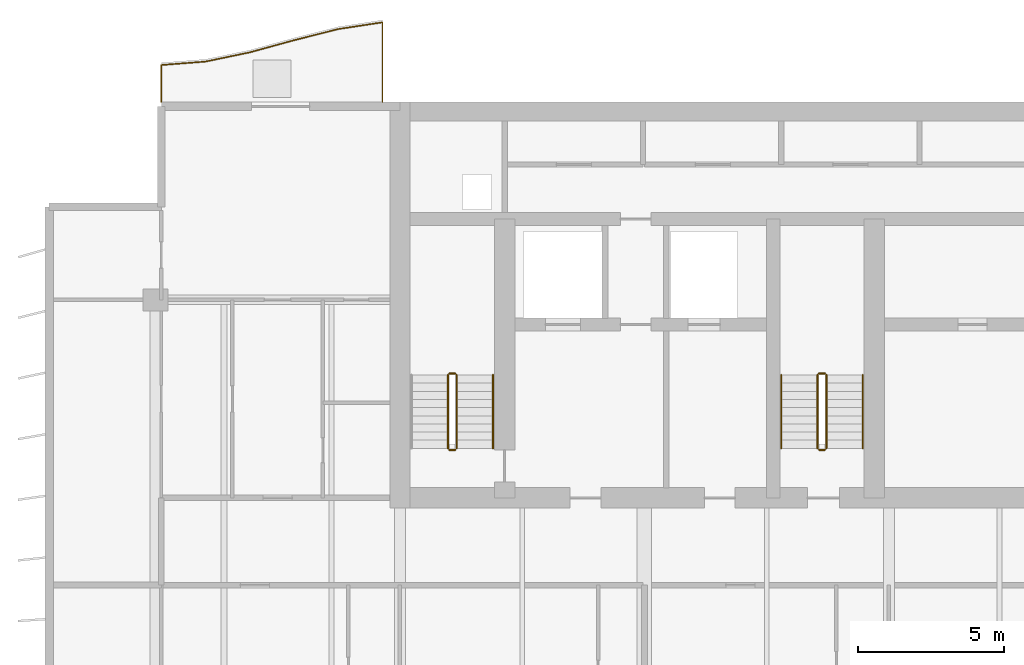
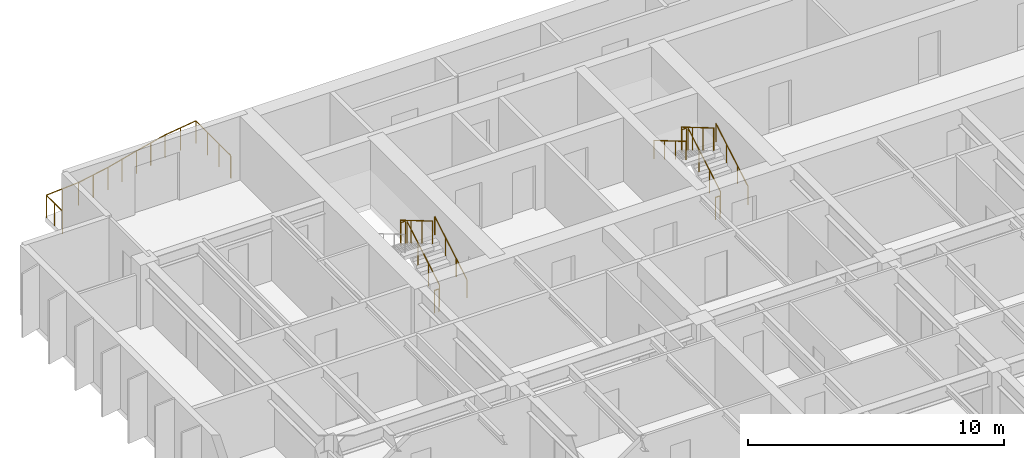
# One storey, part 15 of 17: 12 railings.
"""IFC4 building model written with IfcOpenShell, lengths in metres."""

import ifcopenshell
import ifcopenshell.guid

model = None  # the IFC model being written
_history = None  # IfcOwnerHistory: only IFC2X3 demands one
_inside = {}  # id of a spatial element -> (the spatial element, [elements in it])
_under = {}  # id of a project, library or spatial element -> (it, [spatial elements below it])
_declared = {}  # id of a project -> (the project, [libraries it declares])
_typed = {}  # id of a type object -> (the type object, [elements of that type])
_made_of = {}  # id of a material, layer set ... -> (it, [elements and type objects made of it])


def new_model(schema):
    """Start an empty IFC model of exactly this schema.

    Asked for "IFC4X3", IfcOpenShell would pick the latest addendum, in which some entities
    have other attributes; the version numbers below select the first issue.
    IFC2X3 requires an IfcOwnerHistory on every rooted entity: one is made here for all.
    """
    global model, _history
    if schema == "IFC4X3":
        model = ifcopenshell.file(schema_version=(4, 3, 0, 0))
    else:
        model = ifcopenshell.file(schema=schema)
    _inside.clear()
    _under.clear()
    _declared.clear()
    _typed.clear()
    _made_of.clear()
    _history = None
    if model.schema == "IFC2X3":
        org = make("IfcOrganization", Name="unknown")
        user = make(
            "IfcPersonAndOrganization",
            ThePerson=make("IfcPerson", FamilyName="unknown"),
            TheOrganization=org,
        )
        app = make(
            "IfcApplication",
            ApplicationDeveloper=org,
            Version="unknown",
            ApplicationFullName="unknown",
            ApplicationIdentifier="unknown",
        )
        _history = make(
            "IfcOwnerHistory",
            OwningUser=user,
            OwningApplication=app,
            ChangeAction="ADDED",
            CreationDate=0,
        )
    return model


def make(cls, **values):
    """One entity of the class cls with the attributes given. An attribute that is None is left unset."""
    return model.create_entity(
        cls, **{name: value for name, value in values.items() if value is not None}
    )


def rooted(cls, **values):
    """An entity with a GlobalId (a new one), such as an element, a storey or a relation."""
    return make(cls, GlobalId=ifcopenshell.guid.new(), OwnerHistory=_history, **values)


def si_unit(unit_type, name, prefix=None):
    """IfcSIUnit, for example si_unit("LENGTHUNIT", "METRE", prefix="MILLI")."""
    return make("IfcSIUnit", UnitType=unit_type, Prefix=prefix, Name=name)


def assignment(units):
    """IfcUnitAssignment: the units of a project."""
    return None if units is None else make("IfcUnitAssignment", Units=units)


def point(xyz):
    """IfcCartesianPoint."""
    return None if xyz is None else make("IfcCartesianPoint", Coordinates=xyz)


def direction(xyz):
    """IfcDirection."""
    return None if xyz is None else make("IfcDirection", DirectionRatios=xyz)


def frame(location, z_axis=None, x_axis=None):
    """IfcAxis2Placement3D, a coordinate frame: its origin and axes. An axis left out is left unset."""
    return make(
        "IfcAxis2Placement3D",
        Location=point(location),
        Axis=direction(z_axis),
        RefDirection=direction(x_axis),
    )


def frame_2d(location, x_axis=None):
    """IfcAxis2Placement2D, a coordinate frame in the plane: its origin and x axis."""
    return make(
        "IfcAxis2Placement2D", Location=point(location), RefDirection=direction(x_axis)
    )


def origin():
    """The frame at (0, 0, 0) with its axes left unset."""
    return frame((0.0, 0.0, 0.0))


def origin_2d():
    """The frame at (0, 0) in the plane with its x axis left unset."""
    return frame_2d((0.0, 0.0))


def place(relative_to, where):
    """IfcLocalPlacement: puts the frame where relative to a parent placement (None: the world)."""
    return make(
        "IfcLocalPlacement", PlacementRelTo=relative_to, RelativePlacement=where
    )


def context(
    kind, dimensions, precision=None, world=None, true_north=None, identifier=None
):
    """IfcGeometricRepresentationContext, for example the 3D "Model" context."""
    return make(
        "IfcGeometricRepresentationContext",
        ContextIdentifier=identifier,
        ContextType=kind,
        CoordinateSpaceDimension=dimensions,
        Precision=precision,
        WorldCoordinateSystem=world,
        TrueNorth=true_north,
    )


def subcontext(parent, identifier, kind, view, scale=None):
    """IfcGeometricRepresentationSubContext, for example "Body" below "Model"."""
    return make(
        "IfcGeometricRepresentationSubContext",
        ContextIdentifier=identifier,
        ContextType=kind,
        ParentContext=parent,
        TargetScale=scale,
        TargetView=view,
    )


def project(units=None, contexts=None):
    """IfcProject with its units and contexts."""
    return rooted(
        "IfcProject",
        Name="project",
        RepresentationContexts=contexts,
        UnitsInContext=assignment(units),
    )


def spatial(cls, under=None, at=None, **own):
    """A site, building, storey or space (cls), placed at a placement, below another one or the project."""
    s = rooted(cls, ObjectPlacement=at, **own)
    if under is not None:
        _under.setdefault(under.id(), (under, []))[1].append(s)
    return s


def profile(cls, at=None, kind="AREA", **sizes):
    """A parametric profile (cls). Its sizes go by their IFC names, for example OverallWidth=200.0."""
    return make(cls, ProfileType=kind, Position=at, **sizes)


def circle(**sizes):
    """IfcCircleProfileDef."""
    return profile("IfcCircleProfileDef", **sizes)


def extrude(swept, where, along, depth):
    """IfcExtrudedAreaSolid: the profile swept, set in the frame where, extruded along a direction by depth."""
    return make(
        "IfcExtrudedAreaSolid",
        SweptArea=swept,
        Position=where,
        ExtrudedDirection=direction(along),
        Depth=depth,
    )


def shape(context_of_items, identifier, shape_type, items):
    """IfcShapeRepresentation: the items that make up one representation, for example the "Body"."""
    return make(
        "IfcShapeRepresentation",
        ContextOfItems=context_of_items,
        RepresentationIdentifier=identifier,
        RepresentationType=shape_type,
        Items=items,
    )


def material(Name=None, Category=None):
    """IfcMaterial."""
    return make("IfcMaterial", Name=Name, Category=Category)


def made_of(thing, what):
    """Note that an element or type object is made of a material, layer set ...; save() writes the relation."""
    if what is not None:
        _made_of.setdefault(what.id(), (what, []))[1].append(thing)
    return thing


def type_object(cls, material=None, **own):
    """A type object (cls), such as IfcWallType, which elements share."""
    return made_of(rooted(cls, **own), material)


def element(
    cls,
    number,
    at=None,
    inside=None,
    cuts=None,
    type_object=None,
    material=None,
    context=None,
    identifier="Body",
    shape_type=None,
    held_by="IfcProductDefinitionShape",
    body=None,
    shapes=None,
    **own,
):
    """One element of the class cls, such as IfcWall. Its Tag is "e" and its number.

    at: its placement. inside: the storey or other place that contains it. cuts: it is an
    opening in that element (IfcRelVoidsElement). A single representation is given by context,
    identifier, shape_type and body (its items); several are given by shapes. held_by: the class
    of the entity that holds the representations. save() writes the other relations.
    """
    e = rooted(cls, Tag="e%d" % number, ObjectPlacement=at, **own)
    if body is not None:
        shapes = [shape(context, identifier, shape_type, body)]
    if shapes is not None:
        e.Representation = make(held_by, Representations=shapes)
    if inside is not None:
        _inside.setdefault(inside.id(), (inside, []))[1].append(e)
    if cuts is not None:
        rooted(
            "IfcRelVoidsElement", RelatingBuildingElement=cuts, RelatedOpeningElement=e
        )
    if type_object is not None:
        _typed.setdefault(type_object.id(), (type_object, []))[1].append(e)
    return made_of(e, material)


def aggregate(whole, parts):
    """IfcRelAggregates: a whole, such as a stair, and the parts it consists of."""
    return rooted("IfcRelAggregates", RelatingObject=whole, RelatedObjects=parts)


def save(model, path):
    """Write the relations noted so far, then the file.

    IfcRelAggregates (storeys below a building ...), IfcRelContainedInSpatialStructure (elements
    in a storey), IfcRelDefinesByType, IfcRelAssociatesMaterial and IfcRelDeclares: one each for
    every whole, place, type object, material and project.
    """
    for whole, parts in _under.values():
        aggregate(whole, parts)
    for where, things in _inside.values():
        rooted(
            "IfcRelContainedInSpatialStructure",
            RelatedElements=things,
            RelatingStructure=where,
        )
    for kind, things in _typed.values():
        rooted("IfcRelDefinesByType", RelatedObjects=things, RelatingType=kind)
    for what, things in _made_of.values():
        rooted("IfcRelAssociatesMaterial", RelatedObjects=things, RelatingMaterial=what)
    for by, libraries in _declared.values():
        rooted("IfcRelDeclares", RelatingContext=by, RelatedDefinitions=libraries)
    model.write(path)


model = new_model("IFC4")

# Units and contexts
model_context = context("Model", 3, precision=1e-05, world=origin(), true_north=direction((0.0, 1.0)))
body_context = subcontext(model_context, "Body", "Model", "MODEL_VIEW")
ifc_project = project(units=[si_unit("LENGTHUNIT", "METRE"), si_unit("AREAUNIT", "SQUARE_METRE"), si_unit("VOLUMEUNIT", "CUBIC_METRE"), si_unit("PLANEANGLEUNIT", "RADIAN"), si_unit("MASSUNIT", "GRAM", prefix="KILO")], contexts=[model_context])

# Site, building, storey
site_placement = place(None, origin())
site = spatial("IfcSite", under=ifc_project, at=site_placement, CompositionType="ELEMENT")
building_placement = place(site_placement, origin())
building = spatial("IfcBuilding", under=site, at=building_placement, Name="Caelmar Bay Residences", CompositionType="ELEMENT")
storey_placement = place(building_placement, frame((0.0, 0.0, 208.199951171875)))
storey = spatial("IfcBuildingStorey", under=building, at=storey_placement, Name="L58", CompositionType="ELEMENT", Elevation=208.199951171875)

# Railings
ifc_material_1 = material(Name="Anodised bronze handrail with laminated hurricane glass infill", Category="glass")
railing_type_1 = type_object("IfcRailingType", Name="RL-BAL-1100", PredefinedType="BALUSTRADE", material=ifc_material_1)
railing_1_placement = place(storey_placement, frame((17.699951171875, 50.60009765625, 0.0)))
element("IfcRailing", 1, at=railing_1_placement, inside=storey, type_object=railing_type_1, Name="L58 north_west Balcony Balustrade", PredefinedType="BALUSTRADE", context=body_context, shape_type="SweptSolid", body=[
    extrude(circle(Radius=0.02392578125, at=origin_2d()), frame((0.0, 0.0, 1.076171875), z_axis=(0.0, 1.0, 0.0), x_axis=(-1.0, 0.0, 0.0)), (0.0, 0.0, 1.0), 2.736572265625),
    extrude(circle(Radius=0.02392578125, at=origin_2d()), frame((0.0, 2.736572265625, 1.076171875), z_axis=(-0.988581843738, -0.150684897158, 0.0), x_axis=(0.150684897158, -0.988581843738, 0.0)), (0.0, 0.0, 1.0), 1.53759765625),
    extrude(circle(Radius=0.02392578125, at=origin_2d()), frame((-1.52001953125, 2.5048828125, 1.076171875), z_axis=(-0.969497919705, -0.245099538326, 0.0), x_axis=(0.245099538326, -0.969497919705, 0.0)), (0.0, 0.0, 1.0), 1.56787109375),
    extrude(circle(Radius=0.02392578125, at=origin_2d()), frame((-3.0400390625, 2.12060546875, 1.076171875), z_axis=(-0.964527479323, -0.263982464627, 0.0), x_axis=(0.263982464627, -0.964527479323, 0.0)), (0.0, 0.0, 1.0), 1.575927734375),
    extrude(circle(Radius=0.02392578125, at=origin_2d()), frame((-4.56005859375, 1.70458984375, 1.076171875), z_axis=(-0.978976494466, -0.20397309451, 0.0), x_axis=(0.20397309451, -0.978976494466, 0.0)), (0.0, 0.0, 1.0), 1.552490234375),
    extrude(circle(Radius=0.02392578125, at=origin_2d()), frame((-6.079833984375, 1.387939453125, 1.076171875), z_axis=(-0.997004349632, -0.077345502871, 0.0), x_axis=(0.077345502871, -0.997004349632, 0.0)), (0.0, 0.0, 1.0), 1.524658203125),
    extrude(circle(Radius=0.02392578125, at=origin_2d()), frame((-7.599853515625, 1.27001953125, 1.076171875), z_axis=(0.0, -1.0, 0.0), x_axis=(1.0, 0.0, 0.0)), (0.0, 0.0, 1.0), 1.27001953125),
    extrude(circle(Radius=0.02099609375, at=origin_2d()), origin(), (0.0, 0.0, 1.0), 1.052001953125),
    extrude(circle(Radius=0.02099609375, at=origin_2d()), frame((0.0, 0.912109375, 0.0)), (0.0, 0.0, 1.0), 1.052001953125),
    extrude(circle(Radius=0.02099609375, at=origin_2d()), frame((0.0, 1.824462890625, 0.0)), (0.0, 0.0, 1.0), 1.052001953125),
    extrude(circle(Radius=0.02099609375, at=origin_2d()), frame((0.0, 2.736572265625, 0.0)), (0.0, 0.0, 1.0), 1.052001953125),
    extrude(circle(Radius=0.02099609375, at=origin_2d()), frame((-0.760009765625, 2.62060546875, 0.0)), (0.0, 0.0, 1.0), 1.052001953125),
    extrude(circle(Radius=0.02099609375, at=origin_2d()), frame((-1.52001953125, 2.5048828125, 0.0)), (0.0, 0.0, 1.0), 1.052001953125),
    extrude(circle(Radius=0.02099609375, at=origin_2d()), frame((-2.280029296875, 2.312744140625, 0.0)), (0.0, 0.0, 1.0), 1.052001953125),
    extrude(circle(Radius=0.02099609375, at=origin_2d()), frame((-3.0400390625, 2.12060546875, 0.0)), (0.0, 0.0, 1.0), 1.052001953125),
    extrude(circle(Radius=0.02099609375, at=origin_2d()), frame((-3.800048828125, 1.91259765625, 0.0)), (0.0, 0.0, 1.0), 1.052001953125),
    extrude(circle(Radius=0.02099609375, at=origin_2d()), frame((-4.56005859375, 1.70458984375, 0.0)), (0.0, 0.0, 1.0), 1.052001953125),
    extrude(circle(Radius=0.02099609375, at=origin_2d()), frame((-5.31982421875, 1.54638671875, 0.0)), (0.0, 0.0, 1.0), 1.052001953125),
    extrude(circle(Radius=0.02099609375, at=origin_2d()), frame((-6.079833984375, 1.387939453125, 0.0)), (0.0, 0.0, 1.0), 1.052001953125),
    extrude(circle(Radius=0.02099609375, at=origin_2d()), frame((-6.83984375, 1.3291015625, 0.0)), (0.0, 0.0, 1.0), 1.052001953125),
    extrude(circle(Radius=0.02099609375, at=origin_2d()), frame((-7.599853515625, 1.27001953125, 0.0)), (0.0, 0.0, 1.0), 1.052001953125),
    extrude(circle(Radius=0.02099609375, at=origin_2d()), frame((-7.599853515625, 0.635009765625, 0.0)), (0.0, 0.0, 1.0), 1.052001953125),
    extrude(circle(Radius=0.02099609375, at=origin_2d()), frame((-7.599853515625, 0.0, 0.0)), (0.0, 0.0, 1.0), 1.052001953125),
])
ifc_material_2 = material(Name="Painted galvanized steel stair guard 1100 mm", Category="steel")
railing_type_2 = type_object("IfcRailingType", Name="RL-GRD-1100", PredefinedType="GUARDRAIL", material=ifc_material_2)
railing_2_placement = place(storey_placement, frame((20.25, 38.699951171875, 0.1650390625)))
element("IfcRailing", 2, at=railing_2_placement, inside=storey, type_object=railing_type_2, Name="L58 ST1 stair guard 1", PredefinedType="GUARDRAIL", context=body_context, shape_type="SweptSolid", body=[
    extrude(circle(Radius=0.02392578125, at=origin_2d()), frame((0.0, 0.0, 1.076171875), z_axis=(0.0, 0.86152411907, 0.507716645641), x_axis=(-1.0, 0.0, 0.0)), (0.0, 0.0, 1.0), 2.925048828125),
    extrude(circle(Radius=0.02099609375, at=origin_2d()), origin(), (0.0, 0.0, 1.0), 1.052001953125),
    extrude(circle(Radius=0.02099609375, at=origin_2d()), frame((0.0, 0.840087890625, 0.4951171875)), (0.0, 0.0, 1.0), 1.052001953125),
    extrude(circle(Radius=0.02099609375, at=origin_2d()), frame((0.0, 1.679931640625, 0.989990234375)), (0.0, 0.0, 1.0), 1.052001953125),
    extrude(circle(Radius=0.02099609375, at=origin_2d()), frame((0.0, 2.52001953125, 1.485107421875)), (0.0, 0.0, 1.0), 1.052001953125),
])
railing_3_placement = place(storey_placement, frame((20.199951171875, 41.27001953125, 1.650146484375)))
element("IfcRailing", 3, at=railing_3_placement, inside=storey, type_object=railing_type_2, Name="L58 ST1 stair guard 2", PredefinedType="GUARDRAIL", context=body_context, shape_type="SweptSolid", body=[
    extrude(circle(Radius=0.02392578125, at=origin_2d()), frame((0.0, 0.0, 1.076171875), z_axis=(-1.0, 0.0, 0.0), x_axis=(0.0, -1.0, 0.0)), (0.0, 0.0, 1.0), 0.199951171875),
    extrude(circle(Radius=0.02099609375, at=origin_2d()), origin(), (0.0, 0.0, 1.0), 1.052001953125),
    extrude(circle(Radius=0.02099609375, at=origin_2d()), frame((-0.199951171875, 0.0, 0.0)), (0.0, 0.0, 1.0), 1.052001953125),
])
railing_4_placement = place(storey_placement, frame((19.949951171875, 41.219970703125, 1.81494140625)))
element("IfcRailing", 4, at=railing_4_placement, inside=storey, type_object=railing_type_2, Name="L58 ST1 stair guard 3", PredefinedType="GUARDRAIL", context=body_context, shape_type="SweptSolid", body=[
    extrude(circle(Radius=0.02392578125, at=origin_2d()), frame((0.0, 0.0, 1.076171875), z_axis=(0.0, -0.86152411907, 0.507716645641), x_axis=(1.0, 0.0, 0.0)), (0.0, 0.0, 1.0), 2.925048828125),
    extrude(circle(Radius=0.02099609375, at=origin_2d()), origin(), (0.0, 0.0, 1.0), 1.052001953125),
    extrude(circle(Radius=0.02099609375, at=origin_2d()), frame((0.0, -0.840087890625, 0.4951171875)), (0.0, 0.0, 1.0), 1.052001953125),
    extrude(circle(Radius=0.02099609375, at=origin_2d()), frame((0.0, -1.679931640625, 0.989990234375)), (0.0, 0.0, 1.0), 1.052001953125),
    extrude(circle(Radius=0.02099609375, at=origin_2d()), frame((0.0, -2.52001953125, 1.485107421875)), (0.0, 0.0, 1.0), 1.052001953125),
])
railing_5_placement = place(storey_placement, frame((20.199951171875, 38.64990234375, 0.0)))
element("IfcRailing", 5, at=railing_5_placement, inside=storey, type_object=railing_type_2, Name="L58 ST1 stair guard 4", PredefinedType="GUARDRAIL", context=body_context, shape_type="SweptSolid", body=[
    extrude(circle(Radius=0.02392578125, at=origin_2d()), frame((0.0, 0.0, 1.076171875), z_axis=(-1.0, 0.0, 0.0), x_axis=(0.0, -1.0, 0.0)), (0.0, 0.0, 1.0), 0.199951171875),
    extrude(circle(Radius=0.02099609375, at=origin_2d()), origin(), (0.0, 0.0, 1.0), 1.052001953125),
    extrude(circle(Radius=0.02099609375, at=origin_2d()), frame((-0.199951171875, 0.0, 0.0)), (0.0, 0.0, 1.0), 1.052001953125),
])
railing_6_placement = place(storey_placement, frame((32.949951171875, 38.699951171875, 0.1650390625)))
element("IfcRailing", 6, at=railing_6_placement, inside=storey, type_object=railing_type_2, Name="L58 ST3 stair guard 1", PredefinedType="GUARDRAIL", context=body_context, shape_type="SweptSolid", body=[
    extrude(circle(Radius=0.02392578125, at=origin_2d()), frame((0.0, 0.0, 1.076171875), z_axis=(0.0, 0.86152411907, 0.507716645641), x_axis=(-1.0, 0.0, 0.0)), (0.0, 0.0, 1.0), 2.925048828125),
    extrude(circle(Radius=0.02099609375, at=origin_2d()), origin(), (0.0, 0.0, 1.0), 1.052001953125),
    extrude(circle(Radius=0.02099609375, at=origin_2d()), frame((0.0, 0.840087890625, 0.4951171875)), (0.0, 0.0, 1.0), 1.052001953125),
    extrude(circle(Radius=0.02099609375, at=origin_2d()), frame((0.0, 1.679931640625, 0.989990234375)), (0.0, 0.0, 1.0), 1.052001953125),
    extrude(circle(Radius=0.02099609375, at=origin_2d()), frame((0.0, 2.52001953125, 1.485107421875)), (0.0, 0.0, 1.0), 1.052001953125),
])
railing_7_placement = place(storey_placement, frame((32.89990234375, 41.27001953125, 1.650146484375)))
element("IfcRailing", 7, at=railing_7_placement, inside=storey, type_object=railing_type_2, Name="L58 ST3 stair guard 2", PredefinedType="GUARDRAIL", context=body_context, shape_type="SweptSolid", body=[
    extrude(circle(Radius=0.02392578125, at=origin_2d()), frame((0.0, 0.0, 1.076171875), z_axis=(-1.0, 0.0, 0.0), x_axis=(0.0, -1.0, 0.0)), (0.0, 0.0, 1.0), 0.199951171875),
    extrude(circle(Radius=0.02099609375, at=origin_2d()), origin(), (0.0, 0.0, 1.0), 1.052001953125),
    extrude(circle(Radius=0.02099609375, at=origin_2d()), frame((-0.199951171875, 0.0, 0.0)), (0.0, 0.0, 1.0), 1.052001953125),
])
railing_8_placement = place(storey_placement, frame((32.64990234375, 41.219970703125, 1.81494140625)))
element("IfcRailing", 8, at=railing_8_placement, inside=storey, type_object=railing_type_2, Name="L58 ST3 stair guard 3", PredefinedType="GUARDRAIL", context=body_context, shape_type="SweptSolid", body=[
    extrude(circle(Radius=0.02392578125, at=origin_2d()), frame((0.0, 0.0, 1.076171875), z_axis=(0.0, -0.86152411907, 0.507716645641), x_axis=(1.0, 0.0, 0.0)), (0.0, 0.0, 1.0), 2.925048828125),
    extrude(circle(Radius=0.02099609375, at=origin_2d()), origin(), (0.0, 0.0, 1.0), 1.052001953125),
    extrude(circle(Radius=0.02099609375, at=origin_2d()), frame((0.0, -0.840087890625, 0.4951171875)), (0.0, 0.0, 1.0), 1.052001953125),
    extrude(circle(Radius=0.02099609375, at=origin_2d()), frame((0.0, -1.679931640625, 0.989990234375)), (0.0, 0.0, 1.0), 1.052001953125),
    extrude(circle(Radius=0.02099609375, at=origin_2d()), frame((0.0, -2.52001953125, 1.485107421875)), (0.0, 0.0, 1.0), 1.052001953125),
])
railing_9_placement = place(storey_placement, frame((32.89990234375, 38.64990234375, 0.0)))
element("IfcRailing", 9, at=railing_9_placement, inside=storey, type_object=railing_type_2, Name="L58 ST3 stair guard 4", PredefinedType="GUARDRAIL", context=body_context, shape_type="SweptSolid", body=[
    extrude(circle(Radius=0.02392578125, at=origin_2d()), frame((0.0, 0.0, 1.076171875), z_axis=(-1.0, 0.0, 0.0), x_axis=(0.0, -1.0, 0.0)), (0.0, 0.0, 1.0), 0.199951171875),
    extrude(circle(Radius=0.02099609375, at=origin_2d()), origin(), (0.0, 0.0, 1.0), 1.052001953125),
    extrude(circle(Radius=0.02099609375, at=origin_2d()), frame((-0.199951171875, 0.0, 0.0)), (0.0, 0.0, 1.0), 1.052001953125),
])
ifc_material_3 = material(Name="Brushed bronze stainless-steel tubular handrail 900 mm", Category="steel")
railing_type_3 = type_object("IfcRailingType", Name="RL-HND-900", PredefinedType="HANDRAIL", material=ifc_material_3)
for number, where, name in (
    (10, (21.5, 38.699951171875, 0.1650390625), "L58 ST1 stair handrail 1"),
    (11, (34.199951171875, 38.699951171875, 0.1650390625), "L58 ST3 stair handrail 1"),
):
    element("IfcRailing", number, at=place(storey_placement, frame(where)), inside=storey, type_object=railing_type_3, Name=name, PredefinedType="HANDRAIL", context=body_context, shape_type="SweptSolid", body=[
        extrude(circle(Radius=0.02392578125, at=origin_2d()), frame((0.0, 0.0, 0.8759765625), z_axis=(0.0, 0.86152411907, 0.507716645641), x_axis=(-1.0, 0.0, 0.0)), (0.0, 0.0, 1.0), 2.925048828125),
        extrude(circle(Radius=0.02099609375, at=origin_2d()), origin(), (0.0, 0.0, 1.0), 0.851806640625),
        extrude(circle(Radius=0.02099609375, at=origin_2d()), frame((0.0, 0.840087890625, 0.4951171875)), (0.0, 0.0, 1.0), 0.851806640625),
        extrude(circle(Radius=0.02099609375, at=origin_2d()), frame((0.0, 1.679931640625, 0.989990234375)), (0.0, 0.0, 1.0), 0.851806640625),
        extrude(circle(Radius=0.02099609375, at=origin_2d()), frame((0.0, 2.52001953125, 1.485107421875)), (0.0, 0.0, 1.0), 0.851806640625),
    ])
railing_10_placement = place(storey_placement, frame((31.39990234375, 41.219970703125, 1.81494140625)))
element("IfcRailing", 12, at=railing_10_placement, inside=storey, type_object=railing_type_3, Name="L58 ST3 stair handrail 2", PredefinedType="HANDRAIL", context=body_context, shape_type="SweptSolid", body=[
    extrude(circle(Radius=0.02392578125, at=origin_2d()), frame((0.0, 0.0, 0.8759765625), z_axis=(0.0, -0.86152411907, 0.507716645641), x_axis=(1.0, 0.0, 0.0)), (0.0, 0.0, 1.0), 2.925048828125),
    extrude(circle(Radius=0.02099609375, at=origin_2d()), origin(), (0.0, 0.0, 1.0), 0.851806640625),
    extrude(circle(Radius=0.02099609375, at=origin_2d()), frame((0.0, -0.840087890625, 0.4951171875)), (0.0, 0.0, 1.0), 0.851806640625),
    extrude(circle(Radius=0.02099609375, at=origin_2d()), frame((0.0, -1.679931640625, 0.989990234375)), (0.0, 0.0, 1.0), 0.851806640625),
    extrude(circle(Radius=0.02099609375, at=origin_2d()), frame((0.0, -2.52001953125, 1.485107421875)), (0.0, 0.0, 1.0), 0.851806640625),
])

save(model, "model.ifc")
